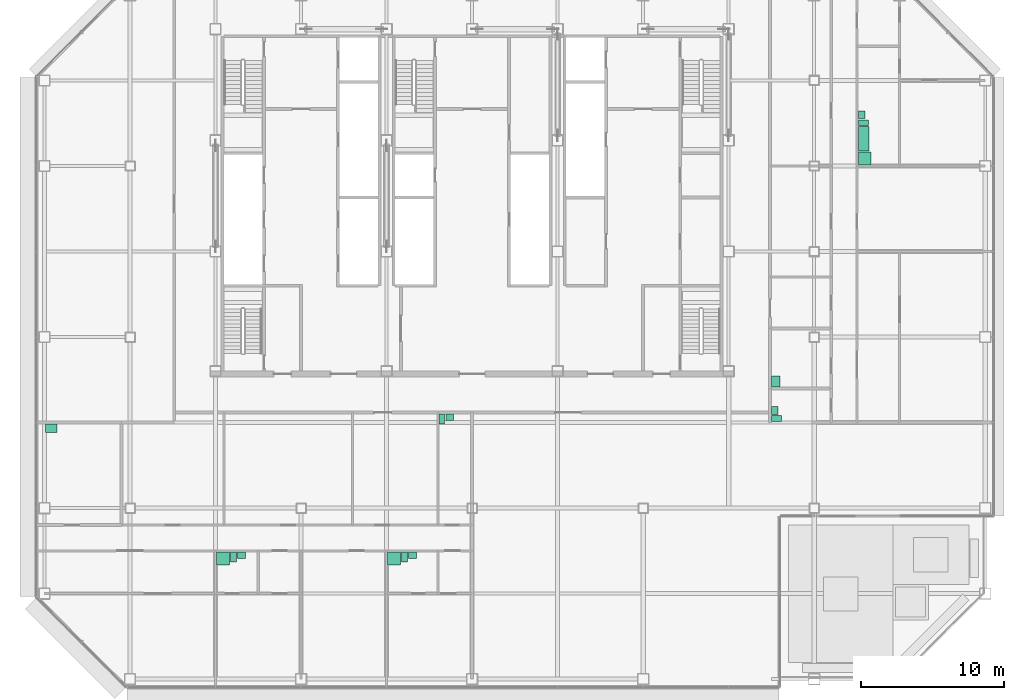
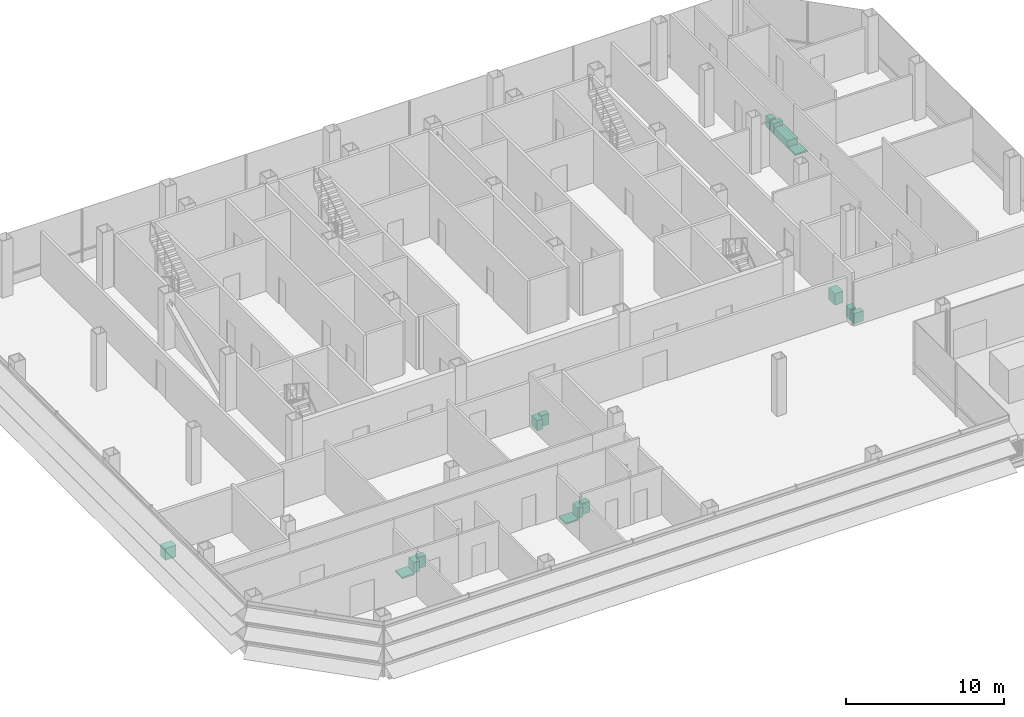
# One storey, part 27 of 28: 16 sanitary terminals.
"""IFC4 building model written with IfcOpenShell, lengths in metres."""

from ifc_helpers import new_model, si_unit, direction, frame, origin, origin_2d, place, context, subcontext, project, spatial, rectangle, extrude, element, save


model = new_model("IFC4")

# Units and contexts
model_context = context("Model", 3, precision=1e-05, world=origin(), true_north=direction((0.0, 1.0)))
body_context = subcontext(model_context, "Body", "Model", "MODEL_VIEW")
ifc_project = project(units=[si_unit("LENGTHUNIT", "METRE"), si_unit("AREAUNIT", "SQUARE_METRE"), si_unit("VOLUMEUNIT", "CUBIC_METRE"), si_unit("PLANEANGLEUNIT", "RADIAN"), si_unit("MASSUNIT", "GRAM", prefix="KILO")], contexts=[model_context])

# Site, building, storey
site_placement = place(None, origin())
site = spatial("IfcSite", under=ifc_project, at=site_placement, CompositionType="ELEMENT")
building_placement = place(site_placement, origin())
building = spatial("IfcBuilding", under=site, at=building_placement, Name="Sorahane Residences", CompositionType="ELEMENT")
storey_placement = place(building_placement, frame((0.0, 0.0, 134.0)))
storey = spatial("IfcBuildingStorey", under=building, at=storey_placement, Name="L30", CompositionType="ELEMENT", Elevation=134.0)

# Sanitary terminals
sanitary_terminal_1_placement = place(storey_placement, frame((6.530029296875, 8.449951171875, 0.0), z_axis=(0.0, 0.0, 1.0), x_axis=(1.0, 0.0, 0.0)))
element("IfcSanitaryTerminal", 1, at=sanitary_terminal_1_placement, inside=storey, Name="Shower tray En-suite bathroom 30A", PredefinedType="SHOWER", context=body_context, shape_type="SweptSolid", body=[
    extrude(rectangle(XDim=0.89990234375, YDim=0.89990234375, at=origin_2d()), origin(), (0.0, 0.0, 1.0), 0.1201171875),
])
sanitary_terminal_2_placement = place(storey_placement, frame((7.260009765625, 8.550048828125, 0.0), z_axis=(0.0, 0.0, 1.0), x_axis=(1.0, 0.0, 0.0)))
element("IfcSanitaryTerminal", 2, at=sanitary_terminal_2_placement, inside=storey, Name="WC pan En-suite bathroom 30A", PredefinedType="TOILETPAN", context=body_context, shape_type="SweptSolid", body=[
    extrude(rectangle(XDim=0.39990234375, YDim=0.699951171875, at=origin_2d()), origin(), (0.0, 0.0, 1.0), 0.800048828125),
])
sanitary_terminal_3_placement = place(storey_placement, frame((7.81494140625, 8.675048828125, 0.0), z_axis=(0.0, 0.0, 1.0), x_axis=(1.0, 0.0, 0.0)))
element("IfcSanitaryTerminal", 3, at=sanitary_terminal_3_placement, inside=storey, Name="Wash basin En-suite bathroom 30A", PredefinedType="WASHHANDBASIN", context=body_context, shape_type="SweptSolid", body=[
    extrude(rectangle(XDim=0.550048828125, YDim=0.449951171875, at=origin_2d()), origin(), (0.0, 0.0, 1.0), 0.85009765625),
])
sanitary_terminal_4_placement = place(storey_placement, frame((18.530029296875, 8.449951171875, 0.0), z_axis=(0.0, 0.0, 1.0), x_axis=(1.0, 0.0, 0.0)))
element("IfcSanitaryTerminal", 4, at=sanitary_terminal_4_placement, inside=storey, Name="Shower tray En-suite bathroom 30A-2", PredefinedType="SHOWER", context=body_context, shape_type="SweptSolid", body=[
    extrude(rectangle(XDim=0.89990234375, YDim=0.89990234375, at=origin_2d()), origin(), (0.0, 0.0, 1.0), 0.1201171875),
])
sanitary_terminal_5_placement = place(storey_placement, frame((19.260009765625, 8.550048828125, 0.0), z_axis=(0.0, 0.0, 1.0), x_axis=(1.0, 0.0, 0.0)))
element("IfcSanitaryTerminal", 5, at=sanitary_terminal_5_placement, inside=storey, Name="WC pan En-suite bathroom 30A-2", PredefinedType="TOILETPAN", context=body_context, shape_type="SweptSolid", body=[
    extrude(rectangle(XDim=0.39990234375, YDim=0.699951171875, at=origin_2d()), origin(), (0.0, 0.0, 1.0), 0.800048828125),
])
sanitary_terminal_6_placement = place(storey_placement, frame((19.81494140625, 8.675048828125, 0.0), z_axis=(0.0, 0.0, 1.0), x_axis=(1.0, 0.0, 0.0)))
element("IfcSanitaryTerminal", 6, at=sanitary_terminal_6_placement, inside=storey, Name="Wash basin En-suite bathroom 30A-2", PredefinedType="WASHHANDBASIN", context=body_context, shape_type="SweptSolid", body=[
    extrude(rectangle(XDim=0.550048828125, YDim=0.449951171875, at=origin_2d()), origin(), (0.0, 0.0, 1.0), 0.85009765625),
])
sanitary_terminal_7_placement = place(storey_placement, frame((-5.52001953125, 17.60009765625, 0.0), z_axis=(0.0, 0.0, 1.0), x_axis=(1.0, 0.0, 0.0)))
element("IfcSanitaryTerminal", 7, at=sanitary_terminal_7_placement, inside=storey, Name="Kitchen sink Kitchen 30A", PredefinedType="SINK", context=body_context, shape_type="SweptSolid", body=[
    extrude(rectangle(XDim=0.800048828125, YDim=0.60009765625, at=origin_2d()), origin(), (0.0, 0.0, 1.0), 0.89990234375),
])
sanitary_terminal_8_placement = place(storey_placement, frame((21.8798828125, 18.25, 0.0), z_axis=(0.0, 0.0, 1.0), x_axis=(1.0, 0.0, 0.0)))
element("IfcSanitaryTerminal", 8, at=sanitary_terminal_8_placement, inside=storey, Name="WC pan Guest WC 30A", PredefinedType="TOILETPAN", context=body_context, shape_type="SweptSolid", body=[
    extrude(rectangle(XDim=0.39990234375, YDim=0.699951171875, at=origin_2d()), origin(), (0.0, 0.0, 1.0), 0.800048828125),
])
sanitary_terminal_9_placement = place(storey_placement, frame((22.43505859375, 18.375, 0.0), z_axis=(0.0, 0.0, 1.0), x_axis=(1.0, 0.0, 0.0)))
element("IfcSanitaryTerminal", 9, at=sanitary_terminal_9_placement, inside=storey, Name="Wash basin Guest WC 30A", PredefinedType="WASHHANDBASIN", context=body_context, shape_type="SweptSolid", body=[
    extrude(rectangle(XDim=0.550048828125, YDim=0.449951171875, at=origin_2d()), origin(), (0.0, 0.0, 1.0), 0.85009765625),
])
sanitary_terminal_10_placement = place(storey_placement, frame((51.550048828125, 36.530029296875, 0.0), z_axis=(0.0, 0.0, 1.0), x_axis=(0.0, 1.0, 0.0)))
element("IfcSanitaryTerminal", 10, at=sanitary_terminal_10_placement, inside=storey, Name="Shower tray En-suite bathroom 30C", PredefinedType="SHOWER", context=body_context, shape_type="SweptSolid", body=[
    extrude(rectangle(XDim=0.89990234375, YDim=0.89990234375, at=origin_2d()), origin(), (0.0, 0.0, 1.0), 0.1201171875),
])
sanitary_terminal_11_placement = place(storey_placement, frame((51.47509765625, 37.909912109375, 0.0), z_axis=(0.0, 0.0, 1.0), x_axis=(0.0, 1.0, 0.0)))
element("IfcSanitaryTerminal", 11, at=sanitary_terminal_11_placement, inside=storey, Name="Bath En-suite bathroom 30C", PredefinedType="BATH", context=body_context, shape_type="SweptSolid", body=[
    extrude(rectangle(XDim=1.699951171875, YDim=0.75, at=origin_2d()), origin(), (0.0, 0.0, 1.0), 0.56005859375),
])
sanitary_terminal_12_placement = place(storey_placement, frame((51.449951171875, 39.0400390625, 0.0), z_axis=(0.0, 0.0, 1.0), x_axis=(0.0, 1.0, 0.0)))
element("IfcSanitaryTerminal", 12, at=sanitary_terminal_12_placement, inside=storey, Name="WC pan En-suite bathroom 30C", PredefinedType="TOILETPAN", context=body_context, shape_type="SweptSolid", body=[
    extrude(rectangle(XDim=0.39990234375, YDim=0.699951171875, at=origin_2d()), origin(), (0.0, 0.0, 1.0), 0.800048828125),
])
sanitary_terminal_13_placement = place(storey_placement, frame((51.324951171875, 39.594970703125, 0.0), z_axis=(0.0, 0.0, 1.0), x_axis=(0.0, 1.0, 0.0)))
element("IfcSanitaryTerminal", 13, at=sanitary_terminal_13_placement, inside=storey, Name="Wash basin En-suite bathroom 30C", PredefinedType="WASHHANDBASIN", context=body_context, shape_type="SweptSolid", body=[
    extrude(rectangle(XDim=0.550048828125, YDim=0.449951171875, at=origin_2d()), origin(), (0.0, 0.0, 1.0), 0.85009765625),
])
sanitary_terminal_14_placement = place(storey_placement, frame((45.35009765625, 18.280029296875, 0.0), z_axis=(0.0, 0.0, 1.0), x_axis=(0.0, 1.0, 0.0)))
element("IfcSanitaryTerminal", 14, at=sanitary_terminal_14_placement, inside=storey, Name="WC pan Guest WC 30C", PredefinedType="TOILETPAN", context=body_context, shape_type="SweptSolid", body=[
    extrude(rectangle(XDim=0.39990234375, YDim=0.699951171875, at=origin_2d()), origin(), (0.0, 0.0, 1.0), 0.800048828125),
])
sanitary_terminal_15_placement = place(storey_placement, frame((45.22509765625, 18.8349609375, 0.0), z_axis=(0.0, 0.0, 1.0), x_axis=(0.0, 1.0, 0.0)))
element("IfcSanitaryTerminal", 15, at=sanitary_terminal_15_placement, inside=storey, Name="Wash basin Guest WC 30C", PredefinedType="WASHHANDBASIN", context=body_context, shape_type="SweptSolid", body=[
    extrude(rectangle(XDim=0.550048828125, YDim=0.449951171875, at=origin_2d()), origin(), (0.0, 0.0, 1.0), 0.85009765625),
])
sanitary_terminal_16_placement = place(storey_placement, frame((45.300048828125, 20.8798828125, 0.0), z_axis=(0.0, 0.0, 1.0), x_axis=(0.0, 1.0, 0.0)))
element("IfcSanitaryTerminal", 16, at=sanitary_terminal_16_placement, inside=storey, Name="Kitchen sink Kitchen 30C", PredefinedType="SINK", context=body_context, shape_type="SweptSolid", body=[
    extrude(rectangle(XDim=0.800048828125, YDim=0.60009765625, at=origin_2d()), origin(), (0.0, 0.0, 1.0), 0.89990234375),
])

save(model, "model.ifc")
